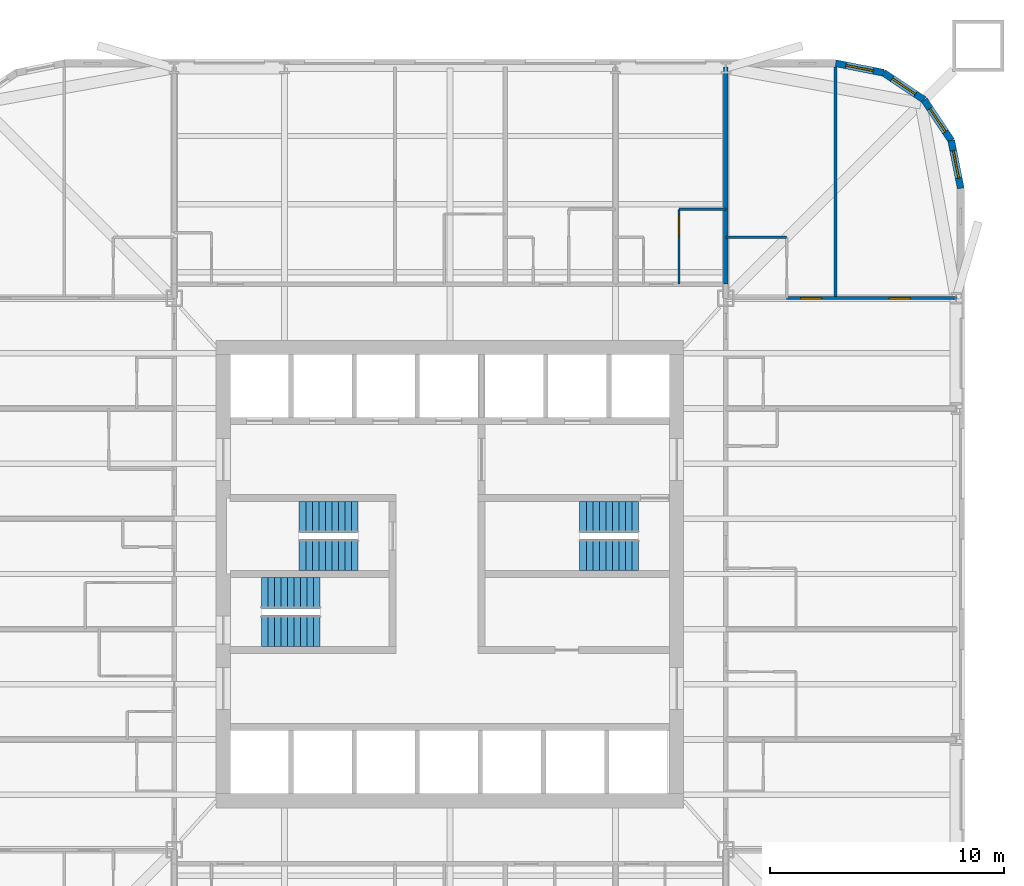
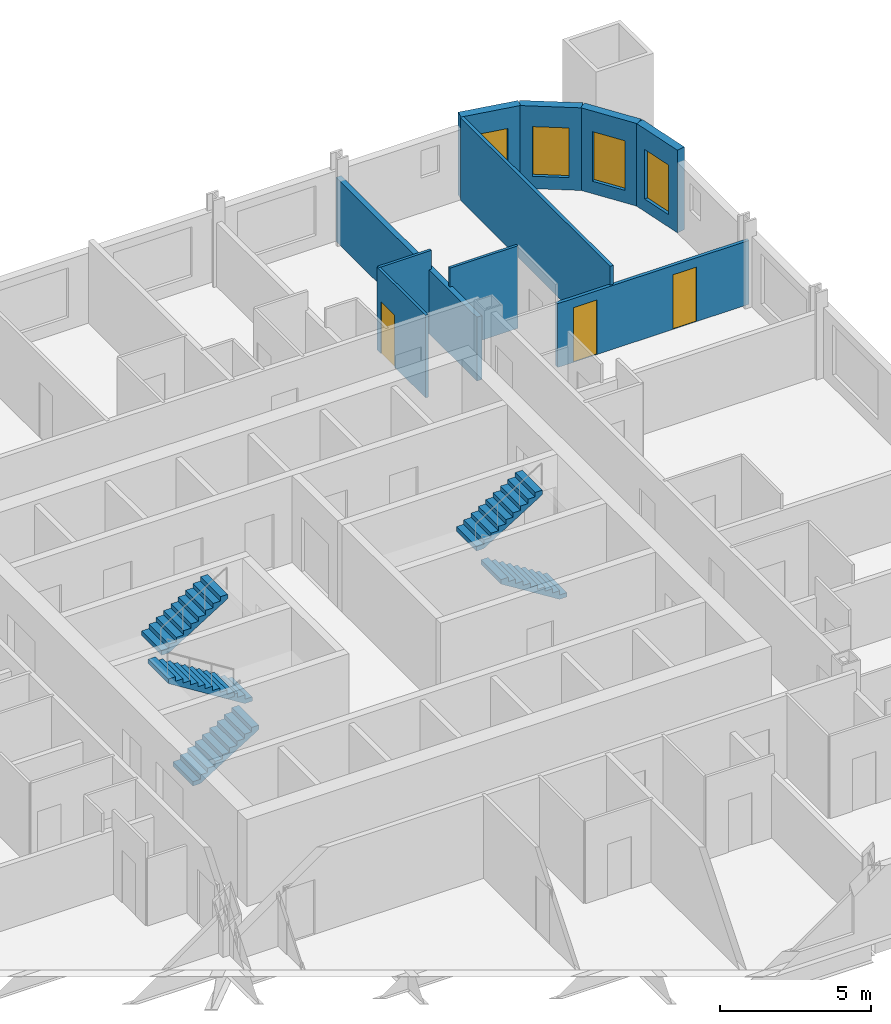
# One storey, part 8 of 9: 10 walls, 6 stair flights, 4 windows, 3 doors, 7 openings, 3 elements without a shape of their own.
"""IFC4 building model written with IfcOpenShell, lengths in metres."""

from ifc_helpers import new_model, si_unit, direction, frame, frame_2d, origin, place, context, subcontext, project, spatial, polyline, rectangle, outline, extrude, material, layer, layer_set, type_object, element, fill, aggregate, save


model = new_model("IFC4")

# Units and contexts
model_context = context("Model", 3, precision=1e-05, world=origin(), true_north=direction((0.0, 1.0)))
body_context = subcontext(model_context, "Body", "Model", "MODEL_VIEW")
ifc_project = project(units=[si_unit("LENGTHUNIT", "METRE"), si_unit("AREAUNIT", "SQUARE_METRE"), si_unit("VOLUMEUNIT", "CUBIC_METRE"), si_unit("PLANEANGLEUNIT", "RADIAN"), si_unit("MASSUNIT", "GRAM", prefix="KILO")], contexts=[model_context])

# Site, building, storey
site_placement = place(None, origin())
site = spatial("IfcSite", under=ifc_project, at=site_placement, CompositionType="ELEMENT")
building_placement = place(site_placement, origin())
building = spatial("IfcBuilding", under=site, at=building_placement, Name="Turquesa Mirador Hotel Tower", CompositionType="ELEMENT")
storey_placement = place(building_placement, frame((0.0, 0.0, 35.5)))
storey = spatial("IfcBuildingStorey", under=building, at=storey_placement, Name="L08", CompositionType="ELEMENT", Elevation=35.5)

# Walls
ifc_material_1 = material(Name="Gypsum board on steel studs", Category="steel")
ifc_layer_1 = layer(ifc_material_1, 0.10009765625)
ifc_layer_set_1 = layer_set([ifc_layer_1], Name="BATHROOM WALL 100")
wall_type_1 = type_object("IfcWallType", Name="BATHROOM WALL 100", PredefinedType="PARTITIONING", material=ifc_layer_set_1)
wall_1_placement = place(storey_placement, frame((66.800048828125, 59.39990234375, 0.0), z_axis=(0.0, 0.0, 1.0), x_axis=(1.0, 0.0, 0.0)))
element("IfcWall", 1, at=wall_1_placement, inside=storey, type_object=wall_type_1, Name="Partition L08 032", PredefinedType="PARTITIONING", context=body_context, shape_type="SweptSolid", body=[
    extrude(rectangle(XDim=2.599853515625, YDim=0.10009765625, at=frame_2d((1.2998046875, 0.0))), origin(), (0.0, 0.0, 1.0), 3.330078125),
])
wall_2_placement = place(storey_placement, frame((64.800048828125, 60.60009765625, 0.0), z_axis=(0.0, 0.0, 1.0), x_axis=(1.0, 0.0, 0.0)))
element("IfcWall", 2, at=wall_2_placement, inside=storey, type_object=wall_type_1, Name="Partition L08 036", PredefinedType="PARTITIONING", context=body_context, shape_type="SweptSolid", body=[
    extrude(rectangle(XDim=2.0, YDim=0.10009765625, at=frame_2d((1.0, 0.0))), origin(), (0.0, 0.0, 1.0), 3.330078125),
])

# Wall, opening, door
wall_3_placement = place(storey_placement, frame((64.800048828125, 57.39990234375, 0.0), z_axis=(0.0, 0.0, 1.0), x_axis=(0.0, 1.0, 0.0)))
wall_3 = element("IfcWall", 3, at=wall_3_placement, inside=storey, type_object=wall_type_1, Name="Partition L08 087", PredefinedType="PARTITIONING", context=body_context, shape_type="SweptSolid", body=[
    extrude(rectangle(XDim=3.2001953125, YDim=0.10009765625, at=frame_2d((1.60009765625, 0.0))), origin(), (0.0, 0.0, 1.0), 3.330078125),
])
opening_1_placement = place(wall_3_placement, frame((2.050048828125, 0.0, 0.0)))
opening_1 = element("IfcOpeningElement", 4, at=opening_1_placement, cuts=wall_3, Name="Opening D02", PredefinedType="OPENING", context=body_context, shape_type="SweptSolid", body=[
    extrude(rectangle(XDim=0.89990234375, YDim=2.10009765625, at=frame_2d((0.449951171875, 1.050048828125))), frame((0.0, 0.06005859375, 0.0), z_axis=(0.0, -1.0, 0.0), x_axis=(1.0, 0.0, 0.0)), (0.0, 0.0, 1.0), 0.1201171875),
])
ifc_material_2 = material(Name="Timber veneered door", Category="wood")
door_type_1 = type_object("IfcDoorType", Name="DOOR 900X2100 EN-SUITE", OperationType="SINGLE_SWING_RIGHT", PredefinedType="DOOR", material=ifc_material_2)
door_1_placement = place(opening_1_placement, origin())
door_1 = element("IfcDoor", 5, at=door_1_placement, inside=storey, type_object=door_type_1, Name="Door 0803B", OperationType="SINGLE_SWING_RIGHT", OverallHeight=2.10009765625, OverallWidth=0.89990234375, PredefinedType="DOOR", context=body_context, shape_type="SweptSolid", body=[
    extrude(rectangle(XDim=0.89990234375, YDim=2.10009765625, at=frame_2d((0.449951171875, 1.050048828125))), frame((0.0, 0.02490234375, 0.0), z_axis=(0.0, -1.0, 0.0), x_axis=(1.0, 0.0, 0.0)), (0.0, 0.0, 1.0), 0.050048828125),
])
fill(opening_1, door_1)

# Wall, opening, window
ifc_material_3 = material(Name="Limestone cladding on concrete block", Category="masonry")
ifc_layer_2 = layer(ifc_material_3, 0.300048828125)
ifc_layer_set_2 = layer_set([ifc_layer_2], Name="FACADE WALL 300 STONE SCREEN")
wall_type_2 = type_object("IfcWallType", Name="FACADE WALL 300 STONE SCREEN", PredefinedType="SOLIDWALL", material=ifc_layer_set_2)
wall_4_placement = place(storey_placement, frame((76.85009765625, 61.5, 0.0), z_axis=(0.0, 0.0, 1.0), x_axis=(-0.195081421501, 0.980787050784, 0.0)))
wall_4 = element("IfcWall", 6, at=wall_4_placement, inside=storey, type_object=wall_type_2, Name="Facade wall L08 05", PredefinedType="SOLIDWALL", context=body_context, shape_type="SweptSolid", body=[
    extrude(rectangle(XDim=2.08740234375, YDim=0.300048828125, at=frame_2d((1.043701171875, 0.0))), origin(), (0.0, 0.0, 1.0), 3.330078125),
])
opening_2_placement = place(wall_4_placement, frame((0.443603515625, 0.0, 0.5)))
opening_2 = element("IfcOpeningElement", 7, at=opening_2_placement, cuts=wall_4, Name="Opening WN4", PredefinedType="OPENING", context=body_context, shape_type="SweptSolid", body=[
    extrude(rectangle(XDim=1.199951171875, YDim=2.0, at=frame_2d((0.60009765625, 1.0))), frame((0.0, 0.159912109375, 0.0), z_axis=(0.0, -1.0, 0.0), x_axis=(1.0, 0.0, 0.0)), (0.0, 0.0, 1.0), 0.320068359375),
])
ifc_material_4 = material(Name="Ceramic-fritted laminated glass", Category="glass")
window_type = type_object("IfcWindowType", Name="FRITTED CORNER WINDOW 1200X2000", PartitioningType="DOUBLE_PANEL_HORIZONTAL", PredefinedType="WINDOW", material=ifc_material_4)
window_1_placement = place(opening_2_placement, origin())
window_1 = element("IfcWindow", 8, at=window_1_placement, inside=storey, type_object=window_type, Name="Window L08", OverallHeight=2.0, OverallWidth=1.199951171875, PartitioningType="SINGLE_PANEL", PredefinedType="WINDOW", context=body_context, shape_type="SweptSolid", body=[
    extrude(rectangle(XDim=1.199951171875, YDim=2.0, at=frame_2d((0.60009765625, 1.0))), frame((0.0, 0.030029296875, 0.0), z_axis=(0.0, -1.0, 0.0), x_axis=(1.0, 0.0, 0.0)), (0.0, 0.0, 1.0), 0.06005859375),
])
fill(opening_2, window_1)

wall_5_placement = place(storey_placement, frame((76.44287109375, 63.54736328125, 0.0), z_axis=(0.0, 0.0, 1.0), x_axis=(-0.555644460423, 0.831420010345, 0.0)))
wall_5 = element("IfcWall", 9, at=wall_5_placement, inside=storey, type_object=wall_type_2, Name="Facade wall L08 06", PredefinedType="SOLIDWALL", context=body_context, shape_type="SweptSolid", body=[
    extrude(rectangle(XDim=2.08740234375, YDim=0.300048828125, at=frame_2d((1.043701171875, 0.0))), origin(), (0.0, 0.0, 1.0), 3.330078125),
])
opening_3_placement = place(wall_5_placement, frame((0.443603515625, 0.0, 0.5)))
opening_3 = element("IfcOpeningElement", 10, at=opening_3_placement, cuts=wall_5, Name="Opening WN4", PredefinedType="OPENING", context=body_context, shape_type="SweptSolid", body=[
    extrude(rectangle(XDim=1.199951171875, YDim=2.0, at=frame_2d((0.60009765625, 1.0))), frame((0.0, 0.159912109375, 0.0), z_axis=(0.0, -1.0, 0.0), x_axis=(1.0, 0.0, 0.0)), (0.0, 0.0, 1.0), 0.320068359375),
])
window_2_placement = place(opening_3_placement, origin())
window_2 = element("IfcWindow", 11, at=window_2_placement, inside=storey, type_object=window_type, Name="Window L08", OverallHeight=2.0, OverallWidth=1.199951171875, PartitioningType="SINGLE_PANEL", PredefinedType="WINDOW", context=body_context, shape_type="SweptSolid", body=[
    extrude(rectangle(XDim=1.199951171875, YDim=2.0, at=frame_2d((0.60009765625, 1.0))), frame((0.0, 0.030029296875, 0.0), z_axis=(0.0, -1.0, 0.0), x_axis=(1.0, 0.0, 0.0)), (0.0, 0.0, 1.0), 0.06005859375),
])
fill(opening_3, window_2)

wall_6_placement = place(storey_placement, frame((75.282958984375, 65.282958984375, 0.0), z_axis=(0.0, 0.0, 1.0), x_axis=(-0.831420010345, 0.555644460423, 0.0)))
wall_6 = element("IfcWall", 12, at=wall_6_placement, inside=storey, type_object=wall_type_2, Name="Facade wall L08 07", PredefinedType="SOLIDWALL", context=body_context, shape_type="SweptSolid", body=[
    extrude(rectangle(XDim=2.08740234375, YDim=0.300048828125, at=frame_2d((1.043701171875, 0.0))), origin(), (0.0, 0.0, 1.0), 3.330078125),
])
opening_4_placement = place(wall_6_placement, frame((0.443603515625, 0.0, 0.5)))
opening_4 = element("IfcOpeningElement", 13, at=opening_4_placement, cuts=wall_6, Name="Opening WN4", PredefinedType="OPENING", context=body_context, shape_type="SweptSolid", body=[
    extrude(rectangle(XDim=1.199951171875, YDim=2.0, at=frame_2d((0.60009765625, 1.0))), frame((0.0, 0.159912109375, 0.0), z_axis=(0.0, -1.0, 0.0), x_axis=(1.0, 0.0, 0.0)), (0.0, 0.0, 1.0), 0.320068359375),
])
window_3_placement = place(opening_4_placement, origin())
window_3 = element("IfcWindow", 14, at=window_3_placement, inside=storey, type_object=window_type, Name="Window L08", OverallHeight=2.0, OverallWidth=1.199951171875, PartitioningType="SINGLE_PANEL", PredefinedType="WINDOW", context=body_context, shape_type="SweptSolid", body=[
    extrude(rectangle(XDim=1.199951171875, YDim=2.0, at=frame_2d((0.60009765625, 1.0))), frame((0.0, 0.030029296875, 0.0), z_axis=(0.0, -1.0, 0.0), x_axis=(1.0, 0.0, 0.0)), (0.0, 0.0, 1.0), 0.06005859375),
])
fill(opening_4, window_3)

wall_7_placement = place(storey_placement, frame((73.54736328125, 66.44287109375, 0.0), z_axis=(0.0, 0.0, 1.0), x_axis=(-0.980787050784, 0.195081421501, 0.0)))
wall_7 = element("IfcWall", 15, at=wall_7_placement, inside=storey, type_object=wall_type_2, Name="Facade wall L08 08", PredefinedType="SOLIDWALL", context=body_context, shape_type="SweptSolid", body=[
    extrude(rectangle(XDim=2.08740234375, YDim=0.300048828125, at=frame_2d((1.043701171875, 0.0))), origin(), (0.0, 0.0, 1.0), 3.330078125),
])
opening_5_placement = place(wall_7_placement, frame((0.443603515625, 0.0, 0.5)))
opening_5 = element("IfcOpeningElement", 16, at=opening_5_placement, cuts=wall_7, Name="Opening WN4", PredefinedType="OPENING", context=body_context, shape_type="SweptSolid", body=[
    extrude(rectangle(XDim=1.199951171875, YDim=2.0, at=frame_2d((0.60009765625, 1.0))), frame((0.0, 0.159912109375, 0.0), z_axis=(0.0, -1.0, 0.0), x_axis=(1.0, 0.0, 0.0)), (0.0, 0.0, 1.0), 0.320068359375),
])
window_4_placement = place(opening_5_placement, origin())
window_4 = element("IfcWindow", 17, at=window_4_placement, inside=storey, type_object=window_type, Name="Window L08", OverallHeight=2.0, OverallWidth=1.199951171875, PartitioningType="SINGLE_PANEL", PredefinedType="WINDOW", context=body_context, shape_type="SweptSolid", body=[
    extrude(rectangle(XDim=1.199951171875, YDim=2.0, at=frame_2d((0.60009765625, 1.0))), frame((0.0, 0.030029296875, 0.0), z_axis=(0.0, -1.0, 0.0), x_axis=(1.0, 0.0, 0.0)), (0.0, 0.0, 1.0), 0.06005859375),
])
fill(opening_5, window_4)

# Wall
ifc_material_5 = material(Name="Fire-rated gypsum board on steel studs", Category="steel")
ifc_layer_3 = layer(ifc_material_5, 0.199951171875)
ifc_layer_set_3 = layer_set([ifc_layer_3], Name="PARTY WALL 200")
wall_type_3 = type_object("IfcWallType", Name="PARTY WALL 200", PredefinedType="PARTITIONING", material=ifc_layer_set_3)
wall_8_placement = place(storey_placement, frame((66.800048828125, 57.39990234375, 0.0), z_axis=(0.0, 0.0, 1.0), x_axis=(0.0, 1.0, 0.0)))
element("IfcWall", 18, at=wall_8_placement, inside=storey, type_object=wall_type_3, Name="Partition L08 068", PredefinedType="PARTITIONING", context=body_context, shape_type="SweptSolid", body=[
    extrude(rectangle(XDim=9.300048828125, YDim=0.199951171875, at=frame_2d((4.64990234375, 0.0))), origin(), (0.0, 0.0, 1.0), 2.572998046875),
])

# Wall, openings, doors
ifc_material_6 = material(Name="Acoustic gypsum board on steel studs", Category="steel")
ifc_layer_4 = layer(ifc_material_6, 0.125)
ifc_layer_set_4 = layer_set([ifc_layer_4], Name="SUITE PARTITION 125")
wall_type_4 = type_object("IfcWallType", Name="SUITE PARTITION 125", PredefinedType="PARTITIONING", material=ifc_layer_set_4)
wall_9_placement = place(storey_placement, frame((69.39990234375, 56.800048828125, 0.0), z_axis=(0.0, 0.0, 1.0), x_axis=(1.0, 0.0, 0.0)))
wall_9 = element("IfcWall", 19, at=wall_9_placement, inside=storey, type_object=wall_type_4, Name="Partition L08 027", PredefinedType="PARTITIONING", context=body_context, shape_type="SweptSolid", body=[
    extrude(rectangle(XDim=7.300048828125, YDim=0.125, at=frame_2d((3.64990234375, 0.0))), origin(), (0.0, 0.0, 1.0), 2.572998046875),
])
opening_6_placement = place(wall_9_placement, frame((0.60009765625, 0.0, 0.0)))
opening_6 = element("IfcOpeningElement", 20, at=opening_6_placement, cuts=wall_9, Name="Opening D17", PredefinedType="OPENING", context=body_context, shape_type="SweptSolid", body=[
    extrude(rectangle(XDim=0.89990234375, YDim=2.199951171875, at=frame_2d((0.449951171875, 1.10009765625))), frame((0.0, 0.072509765625, 0.0), z_axis=(0.0, -1.0, 0.0), x_axis=(1.0, 0.0, 0.0)), (0.0, 0.0, 1.0), 0.14501953125),
])
opening_7_placement = place(wall_9_placement, frame((4.39990234375, 0.0, 0.0)))
opening_7 = element("IfcOpeningElement", 21, at=opening_7_placement, cuts=wall_9, Name="Opening D17", PredefinedType="OPENING", context=body_context, shape_type="SweptSolid", body=[
    extrude(rectangle(XDim=0.89990234375, YDim=2.199951171875, at=frame_2d((0.449951171875, 1.10009765625))), frame((0.0, 0.072509765625, 0.0), z_axis=(0.0, -1.0, 0.0), x_axis=(1.0, 0.0, 0.0)), (0.0, 0.0, 1.0), 0.14501953125),
])
ifc_material_7 = material(Name="Timber veneered door", Category="wood")
door_type_2 = type_object("IfcDoorType", Name="DOOR 900X2200 SUITE INTERNAL", OperationType="SINGLE_SWING_LEFT", PredefinedType="DOOR", material=ifc_material_7)
door_2_placement = place(opening_6_placement, origin())
door_2 = element("IfcDoor", 22, at=door_2_placement, inside=storey, type_object=door_type_2, Name="Door 0812R", OperationType="SINGLE_SWING_LEFT", OverallHeight=2.199951171875, OverallWidth=0.89990234375, PredefinedType="DOOR", context=body_context, shape_type="SweptSolid", body=[
    extrude(rectangle(XDim=0.89990234375, YDim=2.199951171875, at=frame_2d((0.449951171875, 1.10009765625))), frame((0.0, 0.02490234375, 0.0), z_axis=(0.0, -1.0, 0.0), x_axis=(1.0, 0.0, 0.0)), (0.0, 0.0, 1.0), 0.050048828125),
])
fill(opening_6, door_2)
door_3_placement = place(opening_7_placement, origin())
door_3 = element("IfcDoor", 23, at=door_3_placement, inside=storey, type_object=door_type_2, Name="Door 0812S", OperationType="SINGLE_SWING_LEFT", OverallHeight=2.199951171875, OverallWidth=0.89990234375, PredefinedType="DOOR", context=body_context, shape_type="SweptSolid", body=[
    extrude(rectangle(XDim=0.89990234375, YDim=2.199951171875, at=frame_2d((0.449951171875, 1.10009765625))), frame((0.0, 0.02490234375, 0.0), z_axis=(0.0, -1.0, 0.0), x_axis=(1.0, 0.0, 0.0)), (0.0, 0.0, 1.0), 0.050048828125),
])
fill(opening_7, door_3)

# Wall
wall_10_placement = place(storey_placement, frame((71.5, 56.800048828125, 0.0), z_axis=(0.0, 0.0, 1.0), x_axis=(0.0, 1.0, 0.0)))
element("IfcWall", 24, at=wall_10_placement, inside=storey, type_object=wall_type_4, Name="Partition L08 077", PredefinedType="PARTITIONING", context=body_context, shape_type="SweptSolid", body=[
    extrude(rectangle(XDim=9.89404296875, YDim=0.125, at=frame_2d((4.947021484375, 0.0))), origin(), (0.0, 0.0, 1.0), 3.330078125),
])

# Stair, stair flights
ifc_material_8 = material(Name="Concrete C35/45", Category="concrete")
stair_type = type_object("IfcStairType", Name="ESCAPE STAIR CORE", PredefinedType="HALF_TURN_STAIR", material=ifc_material_8)
stair_1_placement = place(storey_placement, origin())
stair_1 = element("IfcStair", 25, at=stair_1_placement, inside=storey, type_object=stair_type, Name="Stair ST1 L08 to L09", PredefinedType="HALF_TURN_STAIR")
ifc_material_9 = material(Name="Concrete C35/45 precast flight", Category="concrete")
stair_flight_type = type_object("IfcStairFlightType", Name="STAIR FLIGHT 1330", PredefinedType="STRAIGHT", material=ifc_material_9)
stair_flight_1_placement = place(storey_placement, frame((51.070068359375, 45.81494140625, 0.0), z_axis=(0.0, 0.0, 1.0), x_axis=(-1.0, 0.0, 0.0)))
stair_flight_1 = element("IfcStairFlight", 26, at=stair_flight_1_placement, type_object=stair_flight_type, Name="ST1 flight 1", NumberOfRisers=10, NumberOfTreads=9, PredefinedType="STRAIGHT", RiserHeight=0.175, TreadLength=0.28, context=body_context, shape_type="SweptSolid", body=[
    extrude(outline(polyline([(0.0, 0.0), (0.0, 0.175048828125), (0.280029296875, 0.175048828125), (0.280029296875, 0.35009765625), (0.56005859375, 0.35009765625), (0.56005859375, 0.52490234375), (0.840087890625, 0.52490234375), (0.840087890625, 0.699951171875), (1.1201171875, 0.699951171875), (1.1201171875, 0.875), (1.39990234375, 0.875), (1.39990234375, 1.050048828125), (1.679931640625, 1.050048828125), (1.679931640625, 1.22509765625), (1.9599609375, 1.22509765625), (1.9599609375, 1.39990234375), (2.239990234375, 1.39990234375), (2.239990234375, 1.574951171875), (2.52001953125, 1.574951171875), (2.52001953125, 1.75), (2.52001953125, 1.398193359375), (0.28271484375, 0.0), (0.0, 0.0)])), frame((0.0, 0.6650390625, 0.0), z_axis=(0.0, -1.0, 0.0), x_axis=(1.0, 0.0, 0.0)), (0.0, 0.0, 1.0), 1.330078125),
])
stair_flight_2_placement = place(storey_placement, frame((48.550048828125, 47.43505859375, 1.75), z_axis=(0.0, 0.0, 1.0), x_axis=(1.0, 0.0, 0.0)))
stair_flight_2 = element("IfcStairFlight", 27, at=stair_flight_2_placement, type_object=stair_flight_type, Name="ST1 flight 2", NumberOfRisers=10, NumberOfTreads=9, PredefinedType="STRAIGHT", RiserHeight=0.175, TreadLength=0.28, context=body_context, shape_type="SweptSolid", body=[
    extrude(outline(polyline([(0.0, 0.0), (0.0, 0.175048828125), (0.280029296875, 0.175048828125), (0.280029296875, 0.35009765625), (0.56005859375, 0.35009765625), (0.56005859375, 0.52490234375), (0.840087890625, 0.52490234375), (0.840087890625, 0.699951171875), (1.1201171875, 0.699951171875), (1.1201171875, 0.875), (1.39990234375, 0.875), (1.39990234375, 1.050048828125), (1.679931640625, 1.050048828125), (1.679931640625, 1.22509765625), (1.9599609375, 1.22509765625), (1.9599609375, 1.39990234375), (2.239990234375, 1.39990234375), (2.239990234375, 1.574951171875), (2.52001953125, 1.574951171875), (2.52001953125, 1.75), (2.52001953125, 1.398193359375), (0.28271484375, 0.0), (0.0, 0.0)])), frame((0.0, 0.6650390625, 0.0), z_axis=(0.0, -1.0, 0.0), x_axis=(1.0, 0.0, 0.0)), (0.0, 0.0, 1.0), 1.330078125),
])
aggregate(stair_1, [stair_flight_1, stair_flight_2])

stair_2_placement = place(storey_placement, origin())
stair_2 = element("IfcStair", 28, at=stair_2_placement, inside=storey, type_object=stair_type, Name="Stair ST2 L08 to L09", PredefinedType="HALF_TURN_STAIR")
stair_flight_3_placement = place(storey_placement, frame((46.929931640625, 42.56494140625, 0.0), z_axis=(0.0, 0.0, 1.0), x_axis=(1.0, 0.0, 0.0)))
stair_flight_3 = element("IfcStairFlight", 29, at=stair_flight_3_placement, type_object=stair_flight_type, Name="ST2 flight 1", NumberOfRisers=10, NumberOfTreads=9, PredefinedType="STRAIGHT", RiserHeight=0.175, TreadLength=0.28, context=body_context, shape_type="SweptSolid", body=[
    extrude(outline(polyline([(0.0, 0.0), (0.0, 0.175048828125), (0.280029296875, 0.175048828125), (0.280029296875, 0.35009765625), (0.56005859375, 0.35009765625), (0.56005859375, 0.52490234375), (0.840087890625, 0.52490234375), (0.840087890625, 0.699951171875), (1.1201171875, 0.699951171875), (1.1201171875, 0.875), (1.39990234375, 0.875), (1.39990234375, 1.050048828125), (1.679931640625, 1.050048828125), (1.679931640625, 1.22509765625), (1.9599609375, 1.22509765625), (1.9599609375, 1.39990234375), (2.239990234375, 1.39990234375), (2.239990234375, 1.574951171875), (2.52001953125, 1.574951171875), (2.52001953125, 1.75), (2.52001953125, 1.398193359375), (0.28271484375, 0.0), (0.0, 0.0)])), frame((0.0, 0.6650390625, 0.0), z_axis=(0.0, -1.0, 0.0), x_axis=(1.0, 0.0, 0.0)), (0.0, 0.0, 1.0), 1.330078125),
])
stair_flight_4_placement = place(storey_placement, frame((49.449951171875, 44.18505859375, 1.75), z_axis=(0.0, 0.0, 1.0), x_axis=(-1.0, 0.0, 0.0)))
stair_flight_4 = element("IfcStairFlight", 30, at=stair_flight_4_placement, type_object=stair_flight_type, Name="ST2 flight 2", NumberOfRisers=10, NumberOfTreads=9, PredefinedType="STRAIGHT", RiserHeight=0.175, TreadLength=0.28, context=body_context, shape_type="SweptSolid", body=[
    extrude(outline(polyline([(0.0, 0.0), (0.0, 0.175048828125), (0.280029296875, 0.175048828125), (0.280029296875, 0.35009765625), (0.56005859375, 0.35009765625), (0.56005859375, 0.52490234375), (0.840087890625, 0.52490234375), (0.840087890625, 0.699951171875), (1.1201171875, 0.699951171875), (1.1201171875, 0.875), (1.39990234375, 0.875), (1.39990234375, 1.050048828125), (1.679931640625, 1.050048828125), (1.679931640625, 1.22509765625), (1.9599609375, 1.22509765625), (1.9599609375, 1.39990234375), (2.239990234375, 1.39990234375), (2.239990234375, 1.574951171875), (2.52001953125, 1.574951171875), (2.52001953125, 1.75), (2.52001953125, 1.398193359375), (0.28271484375, 0.0), (0.0, 0.0)])), frame((0.0, 0.6650390625, 0.0), z_axis=(0.0, -1.0, 0.0), x_axis=(1.0, 0.0, 0.0)), (0.0, 0.0, 1.0), 1.330078125),
])
aggregate(stair_2, [stair_flight_3, stair_flight_4])

stair_3_placement = place(storey_placement, origin())
stair_3 = element("IfcStair", 31, at=stair_3_placement, inside=storey, type_object=stair_type, Name="Stair ST3 L08 to L09", PredefinedType="HALF_TURN_STAIR")
stair_flight_5_placement = place(storey_placement, frame((63.070068359375, 45.81494140625, 0.0), z_axis=(0.0, 0.0, 1.0), x_axis=(-1.0, 0.0, 0.0)))
stair_flight_5 = element("IfcStairFlight", 32, at=stair_flight_5_placement, type_object=stair_flight_type, Name="ST3 flight 1", NumberOfRisers=10, NumberOfTreads=9, PredefinedType="STRAIGHT", RiserHeight=0.175, TreadLength=0.28, context=body_context, shape_type="SweptSolid", body=[
    extrude(outline(polyline([(0.0, 0.0), (0.0, 0.175048828125), (0.280029296875, 0.175048828125), (0.280029296875, 0.35009765625), (0.56005859375, 0.35009765625), (0.56005859375, 0.52490234375), (0.840087890625, 0.52490234375), (0.840087890625, 0.699951171875), (1.1201171875, 0.699951171875), (1.1201171875, 0.875), (1.39990234375, 0.875), (1.39990234375, 1.050048828125), (1.679931640625, 1.050048828125), (1.679931640625, 1.22509765625), (1.9599609375, 1.22509765625), (1.9599609375, 1.39990234375), (2.239990234375, 1.39990234375), (2.239990234375, 1.574951171875), (2.52001953125, 1.574951171875), (2.52001953125, 1.75), (2.52001953125, 1.398193359375), (0.28271484375, 0.0), (0.0, 0.0)])), frame((0.0, 0.6650390625, 0.0), z_axis=(0.0, -1.0, 0.0), x_axis=(1.0, 0.0, 0.0)), (0.0, 0.0, 1.0), 1.330078125),
])
stair_flight_6_placement = place(storey_placement, frame((60.550048828125, 47.43505859375, 1.75), z_axis=(0.0, 0.0, 1.0), x_axis=(1.0, 0.0, 0.0)))
stair_flight_6 = element("IfcStairFlight", 33, at=stair_flight_6_placement, type_object=stair_flight_type, Name="ST3 flight 2", NumberOfRisers=10, NumberOfTreads=9, PredefinedType="STRAIGHT", RiserHeight=0.175, TreadLength=0.28, context=body_context, shape_type="SweptSolid", body=[
    extrude(outline(polyline([(0.0, 0.0), (0.0, 0.175048828125), (0.280029296875, 0.175048828125), (0.280029296875, 0.35009765625), (0.56005859375, 0.35009765625), (0.56005859375, 0.52490234375), (0.840087890625, 0.52490234375), (0.840087890625, 0.699951171875), (1.1201171875, 0.699951171875), (1.1201171875, 0.875), (1.39990234375, 0.875), (1.39990234375, 1.050048828125), (1.679931640625, 1.050048828125), (1.679931640625, 1.22509765625), (1.9599609375, 1.22509765625), (1.9599609375, 1.39990234375), (2.239990234375, 1.39990234375), (2.239990234375, 1.574951171875), (2.52001953125, 1.574951171875), (2.52001953125, 1.75), (2.52001953125, 1.398193359375), (0.28271484375, 0.0), (0.0, 0.0)])), frame((0.0, 0.6650390625, 0.0), z_axis=(0.0, -1.0, 0.0), x_axis=(1.0, 0.0, 0.0)), (0.0, 0.0, 1.0), 1.330078125),
])
aggregate(stair_3, [stair_flight_5, stair_flight_6])

save(model, "model.ifc")
